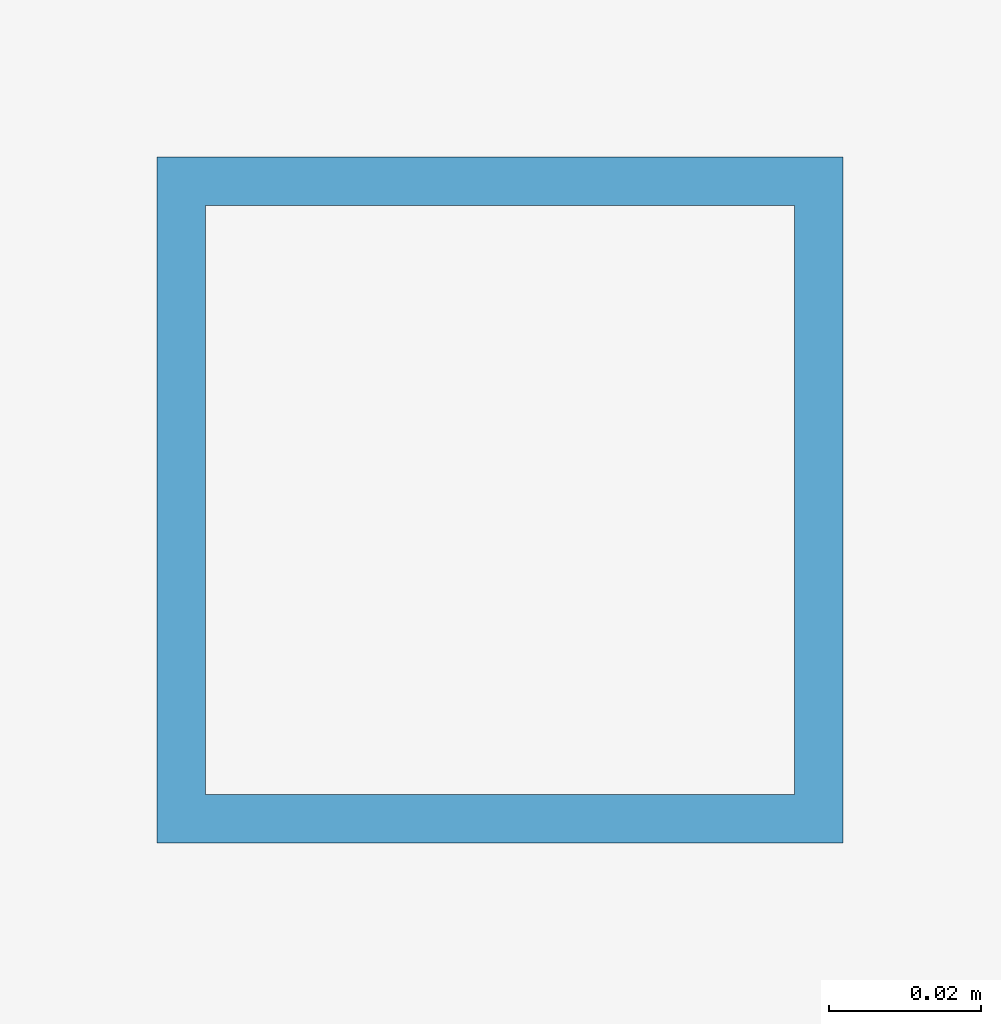
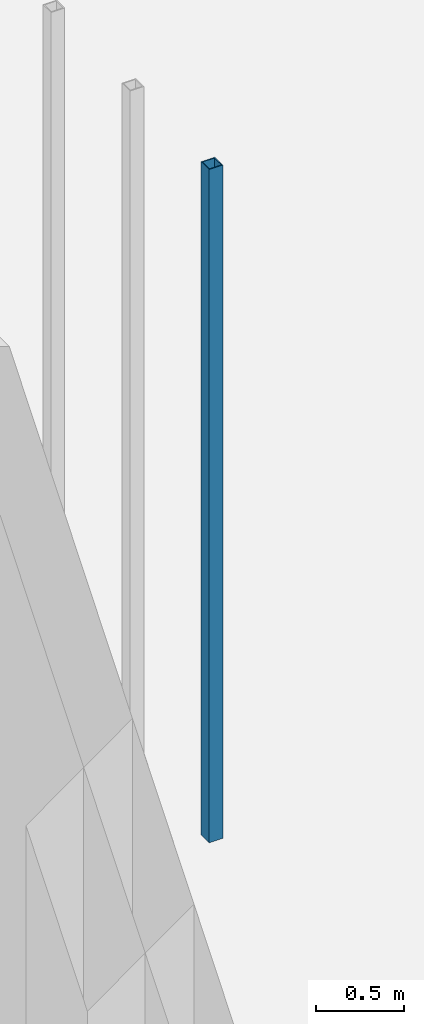
# One storey, part 14 of 85: 1 member.
"""IFC4 building model written with IfcOpenShell, lengths in metres."""

from ifc_helpers import new_model, si_unit, derived_unit, direction, frame, origin, origin_2d, place, context, subcontext, project, spatial, hollow_rectangle, extrude, material, material_profile, profile_set, type_object, element, save


model = new_model("IFC4")

# Units and contexts
model_context = context("Model", 3, precision=1e-05, world=origin(), true_north=direction((0.0, 1.0)))
body_context = subcontext(model_context, "Body", "Model", "MODEL_VIEW")
ifc_project = project(units=[si_unit("LENGTHUNIT", "METRE"), si_unit("AREAUNIT", "SQUARE_METRE"), si_unit("VOLUMEUNIT", "CUBIC_METRE"), si_unit("PLANEANGLEUNIT", "RADIAN"), si_unit("MASSUNIT", "GRAM", prefix="KILO"), derived_unit("THERMALTRANSMITTANCEUNIT", [(si_unit("MASSUNIT", "GRAM", prefix="KILO"), 1), (si_unit("TIMEUNIT", "SECOND"), -3), (si_unit("THERMODYNAMICTEMPERATUREUNIT", "KELVIN"), -1)])], contexts=[model_context])

# Site, building, storey
site_placement = place(None, origin())
site = spatial("IfcSite", under=ifc_project, at=site_placement, CompositionType="ELEMENT")
building_placement = place(site_placement, origin())
building = spatial("IfcBuilding", under=site, at=building_placement, Name="Ochrekiln Boulevard Commons", CompositionType="ELEMENT")
storey_placement = place(building_placement, origin())
storey = spatial("IfcBuildingStorey", under=building, at=storey_placement, Name="L00", CompositionType="ELEMENT", Elevation=0.0)

# Member
ifc_material = material(Name="Steel A500 Grade C", Category="steel")
ifc_material_profile = material_profile(ifc_material, hollow_rectangle(XDim=0.090087890625, YDim=0.090087890625, WallThickness=0.00634765625, at=origin_2d()), Name="HSS90X90X6.4")
ifc_profile_set = profile_set([ifc_material_profile], Name="Steel A500 Grade C")
member_type = type_object("IfcMemberType", Name="MEM-PST-HSS90", PredefinedType="POST", material=ifc_profile_set)
member_placement = place(storey_placement, frame((23.47998046875, 78.300048828125, 0.0), z_axis=(0.0, 0.0, 1.0), x_axis=(1.0, 0.0, 0.0)))
element("IfcMember", 1, at=member_placement, inside=storey, type_object=member_type, Name="Block A L00 Slim Vertical Balcony Post (1)", PredefinedType="POST", context=body_context, shape_type="SweptSolid", body=[
    extrude(hollow_rectangle(XDim=0.090087890625, YDim=0.090087890625, WallThickness=0.00634765625, at=origin_2d()), origin(), (0.0, 0.0, 1.0), 4.679931640625),
])

save(model, "model.ifc")
